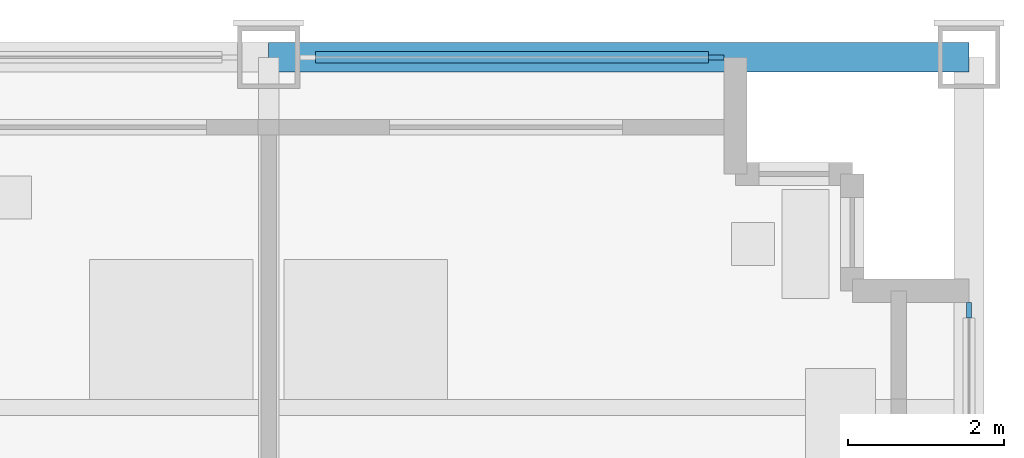
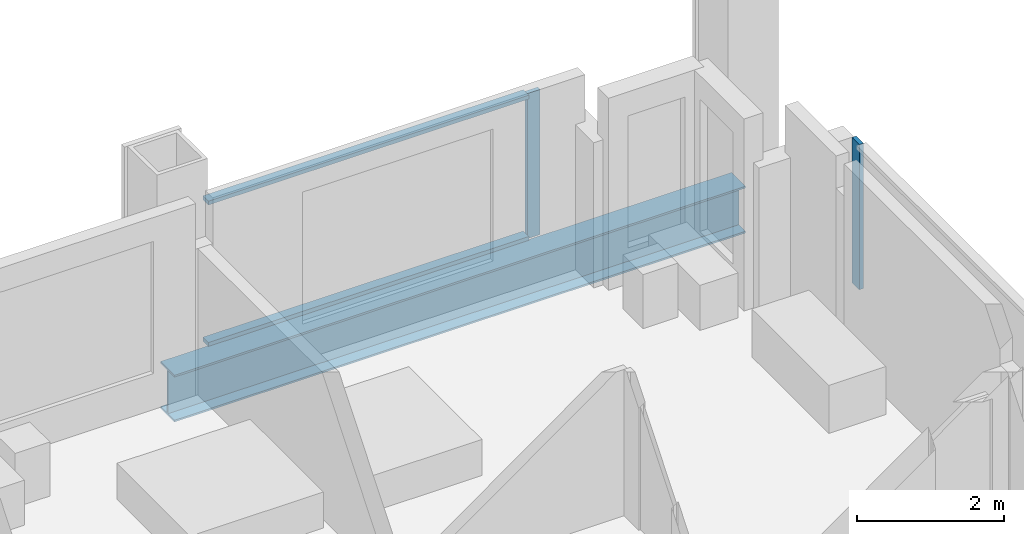
# One storey, part 7 of 17: 4 members, 1 beam, 2 elements without a shape of their own.
"""IFC4 building model written with IfcOpenShell, lengths in metres."""

from ifc_helpers import new_model, si_unit, direction, frame, origin, origin_2d, place, context, subcontext, project, spatial, rectangle, i_section, extrude, material, material_profile, profile_set, type_object, element, aggregate, save


model = new_model("IFC4")

# Units and contexts
model_context = context("Model", 3, precision=1e-05, world=origin(), true_north=direction((0.0, 1.0)))
body_context = subcontext(model_context, "Body", "Model", "MODEL_VIEW")
ifc_project = project(units=[si_unit("LENGTHUNIT", "METRE"), si_unit("AREAUNIT", "SQUARE_METRE"), si_unit("VOLUMEUNIT", "CUBIC_METRE"), si_unit("PLANEANGLEUNIT", "RADIAN"), si_unit("MASSUNIT", "GRAM", prefix="KILO")], contexts=[model_context])

# Site, building, storey
site_placement = place(None, origin())
site = spatial("IfcSite", under=ifc_project, at=site_placement, CompositionType="ELEMENT")
building_placement = place(site_placement, origin())
building = spatial("IfcBuilding", under=site, at=building_placement, Name="Loomwork Tower", CompositionType="ELEMENT")
storey_placement = place(building_placement, frame((0.0, 0.0, 145.199951171875)))
storey = spatial("IfcBuildingStorey", under=building, at=storey_placement, Name="L39", CompositionType="ELEMENT", Elevation=145.199951171875)

# Curtain wall, member
ifc_material_1 = material(Name="Aluminium curtain wall frame", Category="aluminium")
curtain_wall_type = type_object("IfcCurtainWallType", Name="Outer skin glazing hotel", PredefinedType="NOTDEFINED", material=ifc_material_1)
curtain_wall_1_placement = place(storey_placement, origin())
curtain_wall_1 = element("IfcCurtainWall", 1, at=curtain_wall_1_placement, inside=storey, type_object=curtain_wall_type, Name="Outer skin glazing hotel cw/N-36", PredefinedType="NOTDEFINED")
ifc_material_2 = material(Name="Aluminium curtain wall frame", Category="aluminium")
ifc_material_profile_1 = material_profile(ifc_material_2, rectangle(XDim=0.06494140625, YDim=0.199951171875, at=origin_2d()), Name="AL 65x200")
ifc_profile_set_1 = profile_set([ifc_material_profile_1], Name="Aluminium curtain wall frame")
member_type_1 = type_object("IfcMemberType", Name="Outer skin glazing hotel mullion", PredefinedType="MULLION", material=ifc_profile_set_1)
member_1_placement = place(storey_placement, frame((41.75, 36.0, 0.0), z_axis=(0.0, 0.0, 1.0), x_axis=(0.0, -1.0, 0.0)))
member_1 = element("IfcMember", 2, at=member_1_placement, type_object=member_type_1, Name="CW1 mullion 1", PredefinedType="MULLION", context=body_context, shape_type="SweptSolid", body=[
    extrude(rectangle(XDim=0.06494140625, YDim=0.199951171875, at=origin_2d()), origin(), (0.0, 0.0, 1.0), 2.420166015625),
])

curtain_wall_2_placement = place(storey_placement, origin())
curtain_wall_2 = element("IfcCurtainWall", 3, at=curtain_wall_2_placement, inside=storey, type_object=curtain_wall_type, Name="Outer skin glazing hotel cw/E-27", PredefinedType="NOTDEFINED")
member_2_placement = place(storey_placement, frame((45.0, 32.75, 0.0), z_axis=(0.0, 0.0, 1.0), x_axis=(-1.0, 0.0, 0.0)))
member_2 = element("IfcMember", 4, at=member_2_placement, type_object=member_type_1, Name="CW1 mullion 2", PredefinedType="MULLION", context=body_context, shape_type="SweptSolid", body=[
    extrude(rectangle(XDim=0.06494140625, YDim=0.199951171875, at=origin_2d()), origin(), (0.0, 0.0, 1.0), 2.420166015625),
])
aggregate(curtain_wall_2, [member_2])

# Member
ifc_material_3 = material(Name="Aluminium curtain wall frame", Category="aluminium")
ifc_material_profile_2 = material_profile(ifc_material_3, rectangle(XDim=0.14990234375, YDim=0.06494140625, at=origin_2d()), Name="AL 65x150")
ifc_profile_set_2 = profile_set([ifc_material_profile_2], Name="Aluminium curtain wall frame")
member_type_2 = type_object("IfcMemberType", Name="Outer skin glazing hotel transom", PredefinedType="USERDEFINED", material=ifc_profile_set_2)
member_3_placement = place(storey_placement, frame((41.64990234375, 36.0, 0.032470703125), z_axis=(-1.0, 0.0, 0.0), x_axis=(0.0, -1.0, 0.0)))
member_3 = element("IfcMember", 5, at=member_3_placement, type_object=member_type_2, Name="CW1 transom 1.1", ObjectType="TRANSOM", PredefinedType="USERDEFINED", context=body_context, shape_type="SweptSolid", body=[
    extrude(rectangle(XDim=0.14990234375, YDim=0.06494140625, at=origin_2d()), origin(), (0.0, 0.0, 1.0), 5.0498046875),
])

member_4_placement = place(storey_placement, frame((41.64990234375, 36.0, 2.3876953125), z_axis=(-1.0, 0.0, 0.0), x_axis=(0.0, -1.0, 0.0)))
member_4 = element("IfcMember", 6, at=member_4_placement, type_object=member_type_2, Name="CW1 transom 1.2", ObjectType="TRANSOM", PredefinedType="USERDEFINED", context=body_context, shape_type="SweptSolid", body=[
    extrude(rectangle(XDim=0.14990234375, YDim=0.06494140625, at=origin_2d()), origin(), (0.0, 0.0, 1.0), 5.0498046875),
])

aggregate(curtain_wall_1, [member_1, member_3, member_4])

# Beam
ifc_material_4 = material(Name="Steel ASTM A992", Category="steel")
ifc_material_profile_3 = material_profile(ifc_material_4, i_section(OverallWidth=0.381103515625, OverallDepth=0.77978515625, WebThickness=0.01806640625, FlangeThickness=0.0302734375, at=origin_2d()), Name="W30x191")
ifc_profile_set_3 = profile_set([ifc_material_profile_3], Name="Steel ASTM A992")
beam_type = type_object("IfcBeamType", Name="SPANDREL GIRDER W30x191", PredefinedType="SPANDREL", material=ifc_profile_set_3)
beam_placement = place(storey_placement, frame((36.0, 36.0, -0.58984375), z_axis=(1.0, 0.0, 0.0), x_axis=(0.0, 1.0, 0.0)))
element("IfcBeam", 7, at=beam_placement, inside=storey, type_object=beam_type, Name="Spandrel Girder H/6-H/7 L39", PredefinedType="SPANDREL", context=body_context, shape_type="SweptSolid", body=[
    extrude(i_section(OverallWidth=0.381103515625, OverallDepth=0.77978515625, WebThickness=0.01806640625, FlangeThickness=0.0302734375, at=origin_2d()), origin(), (0.0, 0.0, 1.0), 9.0),
])

save(model, "model.ifc")
